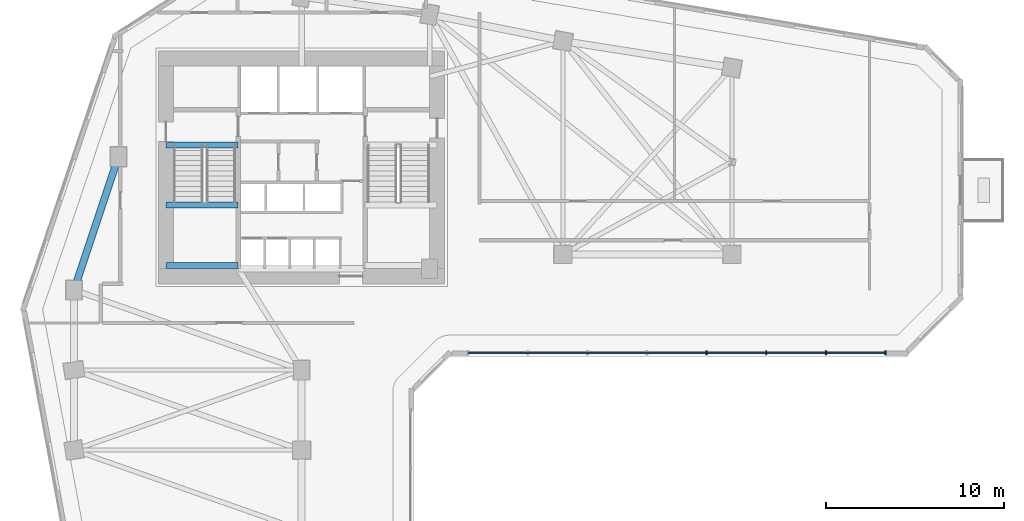
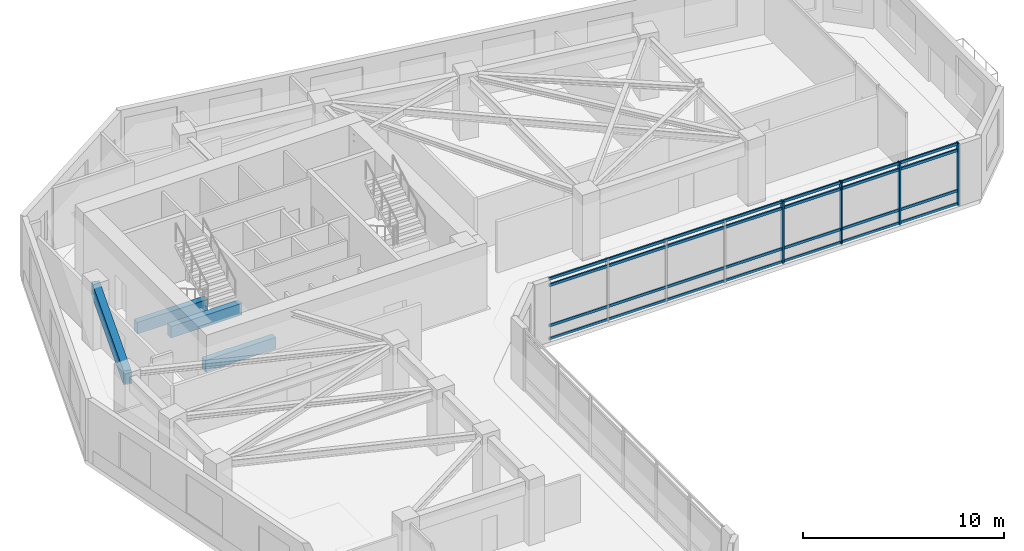
# One storey, part 3 of 11: 8 members, 4 beams, 1 element without a shape of its own.
"""IFC4 building model written with IfcOpenShell, lengths in metres."""

from ifc_helpers import new_model, si_unit, direction, frame, origin, origin_2d, place, context, subcontext, project, spatial, rectangle, extrude, source, transform, mapped, material, material_profile, profile_set, type_object, element, aggregate, save


model = new_model("IFC4")

# Units and contexts
model_context = context("Model", 3, precision=1e-05, world=origin(), true_north=direction((0.0, 1.0)))
body_context = subcontext(model_context, "Body", "Model", "MODEL_VIEW")
ifc_project = project(units=[si_unit("LENGTHUNIT", "METRE"), si_unit("AREAUNIT", "SQUARE_METRE"), si_unit("VOLUMEUNIT", "CUBIC_METRE"), si_unit("PLANEANGLEUNIT", "RADIAN"), si_unit("MASSUNIT", "GRAM", prefix="KILO")], contexts=[model_context])

# Site, building, storey
site_placement = place(None, origin())
site = spatial("IfcSite", under=ifc_project, at=site_placement, CompositionType="ELEMENT")
building_placement = place(site_placement, origin())
building = spatial("IfcBuilding", under=site, at=building_placement, Name="Calvemar Wedge Station Tower", CompositionType="ELEMENT")
storey_placement = place(building_placement, frame((0.0, 0.0, 35.0)))
storey = spatial("IfcBuildingStorey", under=building, at=storey_placement, Name="L08", CompositionType="ELEMENT", Elevation=35.0)

# Beams
ifc_material_1 = material(Name="Concrete C70", Category="concrete")
ifc_material_profile_1 = material_profile(ifc_material_1, rectangle(XDim=0.35009765625, YDim=0.699951171875, at=origin_2d()), Name="RC350x700")
ifc_profile_set_1 = profile_set([ifc_material_profile_1], Name="Concrete C70")
beam_type_1 = type_object("IfcBeamType", Name="BM-LN1-700", PredefinedType="LINTEL", material=ifc_profile_set_1)
shared_shape_1 = source(origin(), body_context, "Body", "SweptSolid", [
    extrude(rectangle(XDim=0.35009765625, YDim=0.699951171875, at=origin_2d()), origin(), (0.0, 0.0, 1.0), 4.054931640625),
])
for number, where, z_axis, x_axis, name in (
    (1, (16.175048828125, 41.14990234375, -0.35009765625), (1.0, 0.0, 0.0), (0.0, 1.0, 0.0), "Storey L08 Stair ST-C1 Landing Trimmer Beam"),
    (2, (16.175048828125, 34.3798828125, 1.449951171875), (1.0, 0.0, 0.0), (0.0, 1.0, 0.0), "Storey L08 Stair ST-C1 Half-Landing Beam 1A"),
    (3, (16.175048828125, 37.780029296875, 1.449951171875), (1.0, 0.0, 0.0), (0.0, 1.0, 0.0), "Storey L08 Stair ST-C1 Half-Landing Beam 1B"),
):
    element("IfcBeam", number, at=place(storey_placement, frame(where, z_axis=z_axis, x_axis=x_axis)), inside=storey, type_object=beam_type_1, Name=name, PredefinedType="LINTEL", context=body_context, shape_type="MappedRepresentation", body=[
        mapped(shared_shape_1, transform((0.0, 0.0, 0.0), scale=1.0)),
    ])
ifc_material_2 = material(Name="Concrete C60", Category="concrete")
ifc_material_profile_2 = material_profile(ifc_material_2, rectangle(XDim=0.39990234375, YDim=0.85009765625, at=origin_2d()), Name="RC400x850")
ifc_profile_set_2 = profile_set([ifc_material_profile_2], Name="Concrete C60")
beam_type_2 = type_object("IfcBeamType", Name="BM-SP1-850", PredefinedType="SPANDREL", material=ifc_profile_set_2)
shared_shape_2 = source(origin(), body_context, "Body", "SweptSolid", [
    extrude(rectangle(XDim=0.39990234375, YDim=0.85009765625, at=origin_2d()), origin(), (0.0, 0.0, 1.0), 7.90576171875),
])
beam_placement = place(storey_placement, frame((11.0, 33.0, 3.324951171875), z_axis=(0.316227766017, 0.948683298051, 0.0), x_axis=(-0.948683298051, 0.316227766017, 0.0)))
element("IfcBeam", 4, at=beam_placement, inside=storey, type_object=beam_type_2, Name="Storey L08 Spandrel T-NW1-T-NW2", PredefinedType="SPANDREL", context=body_context, shape_type="MappedRepresentation", body=[
    mapped(shared_shape_2, transform((0.0, 0.0, 0.0), scale=1.0)),
])

# Curtain wall, members
ifc_material_3 = material(Name="Anodised aluminium 6063-T6", Category="aluminium")
curtain_wall_type = type_object("IfcCurtainWallType", Name="CW1", PredefinedType="NOTDEFINED", material=ifc_material_3)
curtain_wall_placement = place(storey_placement, origin())
curtain_wall = element("IfcCurtainWall", 5, at=curtain_wall_placement, inside=storey, type_object=curtain_wall_type, Name="Storey L08 CW1 Recessed Unitised Curtain Wall 6", PredefinedType="NOTDEFINED")
ifc_material_profile_3 = material_profile(ifc_material_3, rectangle(XDim=0.080078125, YDim=0.219970703125, at=origin_2d()), Name="AL-MUL-80x220")
ifc_profile_set_3 = profile_set([ifc_material_profile_3], Name="Anodised aluminium 6063-T6")
member_type_1 = type_object("IfcMemberType", Name="CW1-MUL", PredefinedType="MULLION", material=ifc_profile_set_3)
shared_shape_3 = source(origin(), body_context, "Body", "SweptSolid", [
    extrude(rectangle(XDim=0.080078125, YDim=0.219970703125, at=origin_2d()), origin(), (0.0, 0.0, 1.0), 3.800048828125),
])
member_1_placement = place(storey_placement, frame((46.57861328125, 29.469970703125, -0.050048828125), z_axis=(0.0, 0.0, 1.0), x_axis=(1.0, 0.0, 0.0)))
member_1 = element("IfcMember", 6, at=member_1_placement, type_object=member_type_1, Name="CW1 mullion 5", PredefinedType="MULLION", context=body_context, shape_type="MappedRepresentation", body=[
    mapped(shared_shape_3, transform((0.0, 0.0, 0.0), scale=1.0)),
])
member_2_placement = place(storey_placement, frame((49.931640625, 29.469970703125, -0.050048828125), z_axis=(0.0, 0.0, 1.0), x_axis=(1.0, 0.0, 0.0)))
member_2 = element("IfcMember", 7, at=member_2_placement, type_object=member_type_1, Name="CW1 mullion 6", PredefinedType="MULLION", context=body_context, shape_type="MappedRepresentation", body=[
    mapped(shared_shape_3, transform((0.0, 0.0, 0.0), scale=1.0)),
])
member_3_placement = place(storey_placement, frame((53.284912109375, 29.469970703125, -0.050048828125), z_axis=(0.0, 0.0, 1.0), x_axis=(1.0, 0.0, 0.0)))
member_3 = element("IfcMember", 8, at=member_3_placement, type_object=member_type_1, Name="CW1 mullion 7", PredefinedType="MULLION", context=body_context, shape_type="MappedRepresentation", body=[
    mapped(shared_shape_3, transform((0.0, 0.0, 0.0), scale=1.0)),
])
member_4_placement = place(storey_placement, frame((56.637939453125, 29.469970703125, -0.050048828125), z_axis=(0.0, 0.0, 1.0), x_axis=(1.0, 0.0, 0.0)))
member_4 = element("IfcMember", 9, at=member_4_placement, type_object=member_type_1, Name="CW1 mullion 8", PredefinedType="MULLION", context=body_context, shape_type="MappedRepresentation", body=[
    mapped(shared_shape_3, transform((0.0, 0.0, 0.0), scale=1.0)),
])
ifc_material_profile_4 = material_profile(ifc_material_3, rectangle(XDim=0.080078125, YDim=0.159912109375, at=origin_2d()), Name="AL-TRN-80x160")
ifc_profile_set_4 = profile_set([ifc_material_profile_4], Name="Anodised aluminium 6063-T6")
member_type_2 = type_object("IfcMemberType", Name="CW1-TRN", PredefinedType="USERDEFINED", material=ifc_profile_set_4)
shared_shape_4 = source(origin(), body_context, "Body", "SweptSolid", [
    extrude(rectangle(XDim=0.080078125, YDim=0.159912109375, at=origin_2d()), origin(), (0.0, 0.0, 1.0), 23.471923828125),
])
member_5_placement = place(storey_placement, frame((33.166015625, 29.469970703125, 0.06005859375), z_axis=(1.0, 0.0, 0.0), x_axis=(0.0, 1.0, 0.0)))
member_5 = element("IfcMember", 10, at=member_5_placement, type_object=member_type_2, Name="CW1 transom 1", ObjectType="TRANSOM", PredefinedType="USERDEFINED", context=body_context, shape_type="MappedRepresentation", body=[
    mapped(shared_shape_4, transform((0.0, 0.0, 0.0), scale=1.0)),
])
member_6_placement = place(storey_placement, frame((33.166015625, 29.469970703125, 0.85009765625), z_axis=(1.0, 0.0, 0.0), x_axis=(0.0, 1.0, 0.0)))
member_6 = element("IfcMember", 11, at=member_6_placement, type_object=member_type_2, Name="CW1 transom 2", ObjectType="TRANSOM", PredefinedType="USERDEFINED", context=body_context, shape_type="MappedRepresentation", body=[
    mapped(shared_shape_4, transform((0.0, 0.0, 0.0), scale=1.0)),
])
member_7_placement = place(storey_placement, frame((33.166015625, 29.469970703125, 3.300048828125), z_axis=(1.0, 0.0, 0.0), x_axis=(0.0, 1.0, 0.0)))
member_7 = element("IfcMember", 12, at=member_7_placement, type_object=member_type_2, Name="CW1 transom 3", ObjectType="TRANSOM", PredefinedType="USERDEFINED", context=body_context, shape_type="MappedRepresentation", body=[
    mapped(shared_shape_4, transform((0.0, 0.0, 0.0), scale=1.0)),
])
member_8_placement = place(storey_placement, frame((33.166015625, 29.469970703125, 3.68994140625), z_axis=(1.0, 0.0, 0.0), x_axis=(0.0, 1.0, 0.0)))
member_8 = element("IfcMember", 13, at=member_8_placement, type_object=member_type_2, Name="CW1 transom 4", ObjectType="TRANSOM", PredefinedType="USERDEFINED", context=body_context, shape_type="MappedRepresentation", body=[
    mapped(shared_shape_4, transform((0.0, 0.0, 0.0), scale=1.0)),
])
aggregate(curtain_wall, [member_1, member_2, member_3, member_4, member_5, member_6, member_7, member_8])

save(model, "model.ifc")
